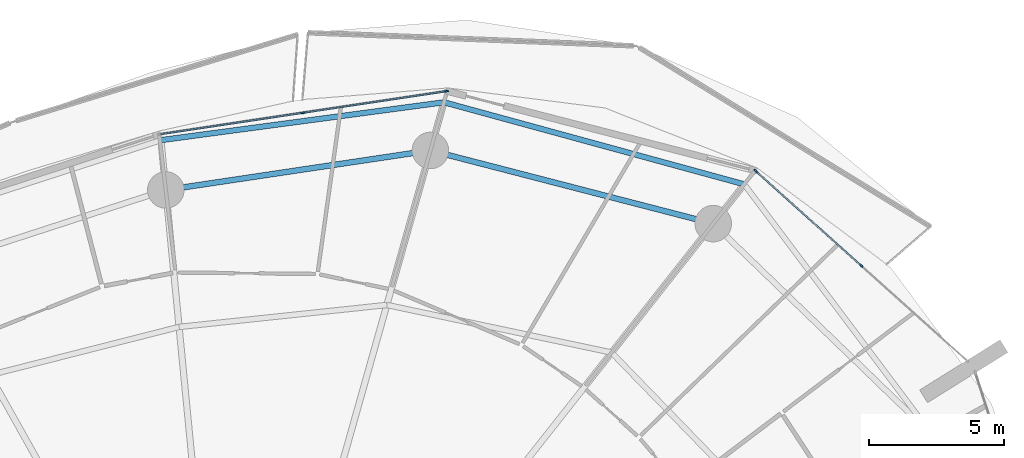
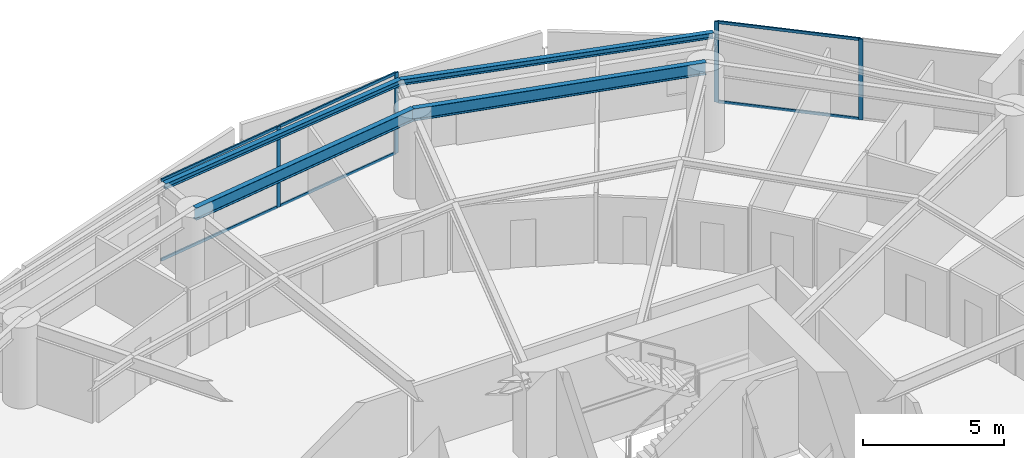
# One storey, part 16 of 31: 10 members, 4 beams, 2 elements without a shape of their own.
"""IFC4 building model written with IfcOpenShell, lengths in metres."""

from ifc_helpers import new_model, si_unit, direction, frame, origin, origin_2d, place, context, subcontext, project, spatial, rectangle, i_section, extrude, material, layer, layer_set, material_profile, profile_set, type_object, element, aggregate, save


model = new_model("IFC4")

# Units and contexts
model_context = context("Model", 3, precision=1e-05, world=origin(), true_north=direction((0.0, 1.0)))
body_context = subcontext(model_context, "Body", "Model", "MODEL_VIEW")
ifc_project = project(units=[si_unit("LENGTHUNIT", "METRE"), si_unit("AREAUNIT", "SQUARE_METRE"), si_unit("VOLUMEUNIT", "CUBIC_METRE"), si_unit("PLANEANGLEUNIT", "RADIAN"), si_unit("MASSUNIT", "GRAM", prefix="KILO")], contexts=[model_context])

# Site, building, storey
site_placement = place(None, origin())
site = spatial("IfcSite", under=ifc_project, at=site_placement, CompositionType="ELEMENT")
building_placement = place(site_placement, origin())
building = spatial("IfcBuilding", under=site, at=building_placement, Name="Kazma Halo Residences", CompositionType="ELEMENT")
storey_placement = place(building_placement, frame((0.0, 0.0, 37.64990234375)))
storey = spatial("IfcBuildingStorey", under=building, at=storey_placement, Name="L08", CompositionType="ELEMENT", Elevation=37.64990234375)

# Beams
ifc_material_1 = material(Name="Steel S355", Category="steel")
ifc_material_profile_1 = material_profile(ifc_material_1, i_section(OverallWidth=0.201904296875, OverallDepth=0.2470703125, WebThickness=0.00732421875, FlangeThickness=0.010986328125, FilletRadius=0.011962890625, at=origin_2d()), Name="W250x49.1")
ifc_profile_set_1 = profile_set([ifc_material_profile_1], Name="Steel S355")
beam_type_1 = type_object("IfcBeamType", Name="BM-BAL-CANT", PredefinedType="BEAM", material=ifc_profile_set_1)
beam_1_placement = place(storey_placement, frame((66.603515625, 65.598388671875, 3.376708984375), z_axis=(-0.964628474934, 0.263613173697, 0.0), x_axis=(-0.263613173697, -0.964628474934, 0.0)))
element("IfcBeam", 1, at=beam_1_placement, inside=storey, type_object=beam_type_1, Name="L08 wave-balcony tie beam 02", PredefinedType="BEAM", context=body_context, shape_type="SweptSolid", body=[
    extrude(i_section(OverallWidth=0.201904296875, OverallDepth=0.2470703125, WebThickness=0.00732421875, FlangeThickness=0.010986328125, FilletRadius=0.011962890625, at=origin_2d()), origin(), (0.0, 0.0, 1.0), 11.499755859375),
])
beam_2_placement = place(storey_placement, frame((55.510498046875, 68.6298828125, 3.376708984375), z_axis=(-0.991168183526, -0.13261082899, 0.0), x_axis=(0.13261082899, -0.991168183526, 0.0)))
element("IfcBeam", 2, at=beam_2_placement, inside=storey, type_object=beam_type_1, Name="L08 wave-balcony tie beam 03", PredefinedType="BEAM", context=body_context, shape_type="SweptSolid", body=[
    extrude(i_section(OverallWidth=0.201904296875, OverallDepth=0.2470703125, WebThickness=0.00732421875, FlangeThickness=0.010986328125, FilletRadius=0.011962890625, at=origin_2d()), origin(), (0.0, 0.0, 1.0), 10.551025390625),
])
ifc_material_profile_2 = material_profile(ifc_material_1, i_section(OverallWidth=0.208984375, OverallDepth=0.532958984375, WebThickness=0.01025390625, FlangeThickness=0.015625, FilletRadius=0.01611328125, at=origin_2d()), Name="W530x92")
ifc_profile_set_2 = profile_set([ifc_material_profile_2], Name="Steel S355")
beam_type_2 = type_object("IfcBeamType", Name="BM-SPN-W530", PredefinedType="BEAM", material=ifc_profile_set_2)
beam_3_placement = place(storey_placement, frame((65.458251953125, 64.145751953125, 3.233642578125), z_axis=(-0.968123558238, 0.250473104313, 0.0), x_axis=(-0.250473104313, -0.968123558238, 0.0)))
element("IfcBeam", 3, at=beam_3_placement, inside=storey, type_object=beam_type_2, Name="L08 perimeter ring beam 02", PredefinedType="BEAM", context=body_context, shape_type="SweptSolid", body=[
    extrude(i_section(OverallWidth=0.208984375, OverallDepth=0.532958984375, WebThickness=0.01025390625, FlangeThickness=0.015625, FilletRadius=0.01611328125, at=origin_2d()), origin(), (0.0, 0.0, 1.0), 10.7939453125),
])
beam_4_placement = place(storey_placement, frame((55.00830078125, 66.849365234375, 3.233642578125), z_axis=(-0.989033061974, -0.147694286693, 0.0), x_axis=(0.147694286693, -0.989033061974, 0.0)))
element("IfcBeam", 4, at=beam_4_placement, inside=storey, type_object=beam_type_2, Name="L08 perimeter ring beam 03", PredefinedType="BEAM", context=body_context, shape_type="SweptSolid", body=[
    extrude(i_section(OverallWidth=0.208984375, OverallDepth=0.532958984375, WebThickness=0.01025390625, FlangeThickness=0.015625, FilletRadius=0.01611328125, at=origin_2d()), origin(), (0.0, 0.0, 1.0), 9.885009765625),
])

# Curtain wall, members
ifc_material_2 = material(Name="Aluminium AW-6063 T6 and Triple-Silver Low-E Glass", Category="aluminium")
ifc_layer = layer(ifc_material_2, 0.159912109375)
ifc_layer_set = layer_set([ifc_layer], Name="Aluminium AW-6063 T6 and Triple-Silver Low-E Glass")
curtain_wall_type = type_object("IfcCurtainWallType", Name="CW-SYS-2", PredefinedType="NOTDEFINED", material=ifc_layer_set)
curtain_wall_1_placement = place(storey_placement, origin())
curtain_wall_1 = element("IfcCurtainWall", 5, at=curtain_wall_1_placement, inside=storey, type_object=curtain_wall_type, Name="L08 unitised curtain wall B01", PredefinedType="NOTDEFINED")
ifc_material_3 = material(Name="Aluminium AW-6063 T6", Category="aluminium")
ifc_material_profile_3 = material_profile(ifc_material_3, rectangle(XDim=0.06005859375, YDim=0.159912109375, at=origin_2d()), Name="CWM-60x160")
ifc_profile_set_3 = profile_set([ifc_material_profile_3], Name="Aluminium AW-6063 T6")
member_type_1 = type_object("IfcMemberType", Name="CW-SYS-2-MUL", PredefinedType="MULLION", material=ifc_profile_set_3)
member_1_placement = place(storey_placement, frame((70.92724609375, 62.590087890625, 0.0), z_axis=(0.0, 0.0, 1.0), x_axis=(-0.667821453854, -0.744321506993, 0.0)))
member_1 = element("IfcMember", 6, at=member_1_placement, type_object=member_type_1, Name="CWS-2 mullion 2", PredefinedType="MULLION", context=body_context, shape_type="SweptSolid", body=[
    extrude(rectangle(XDim=0.06005859375, YDim=0.159912109375, at=origin_2d()), origin(), (0.0, 0.0, 1.0), 3.5),
])
member_2_placement = place(storey_placement, frame((67.028076171875, 66.088623046875, 0.0), z_axis=(0.0, 0.0, 1.0), x_axis=(-0.667821453854, -0.744321506993, 0.0)))
member_2 = element("IfcMember", 7, at=member_2_placement, type_object=member_type_1, Name="CWS-2 mullion 3", PredefinedType="MULLION", context=body_context, shape_type="SweptSolid", body=[
    extrude(rectangle(XDim=0.06005859375, YDim=0.159912109375, at=origin_2d()), origin(), (0.0, 0.0, 1.0), 3.5),
])

curtain_wall_2_placement = place(storey_placement, origin())
curtain_wall_2 = element("IfcCurtainWall", 8, at=curtain_wall_2_placement, inside=storey, type_object=curtain_wall_type, Name="L08 unitised curtain wall B03", PredefinedType="NOTDEFINED")
member_3_placement = place(storey_placement, frame((55.596923828125, 69.037841796875, 0.0), z_axis=(0.0, 0.0, 1.0), x_axis=(0.148657272805, -0.988888777994, 0.0)))
member_3 = element("IfcMember", 9, at=member_3_placement, type_object=member_type_1, Name="CWS-2 mullion 1", PredefinedType="MULLION", context=body_context, shape_type="SweptSolid", body=[
    extrude(rectangle(XDim=0.06005859375, YDim=0.159912109375, at=origin_2d()), origin(), (0.0, 0.0, 1.0), 3.5),
])
member_4_placement = place(storey_placement, frame((50.3076171875, 68.24267578125, 0.0), z_axis=(0.0, 0.0, 1.0), x_axis=(0.148657272805, -0.988888777994, 0.0)))
member_4 = element("IfcMember", 10, at=member_4_placement, type_object=member_type_1, Name="CWS-2 mullion 2", PredefinedType="MULLION", context=body_context, shape_type="SweptSolid", body=[
    extrude(rectangle(XDim=0.06005859375, YDim=0.159912109375, at=origin_2d()), origin(), (0.0, 0.0, 1.0), 3.5),
])

# Member
ifc_material_profile_4 = material_profile(ifc_material_3, rectangle(XDim=0.06005859375, YDim=0.1201171875, at=origin_2d()), Name="CWT-60x120")
ifc_profile_set_4 = profile_set([ifc_material_profile_4], Name="Aluminium AW-6063 T6")
member_type_2 = type_object("IfcMemberType", Name="CW-SYS-2-TRN", PredefinedType="USERDEFINED", material=ifc_profile_set_4)
member_5_placement = place(storey_placement, frame((70.905029296875, 62.6103515625, 0.030029296875), z_axis=(-0.744329408538, 0.66781264707, 0.0), x_axis=(-0.66781264707, -0.744329408538, 0.0)))
member_5 = element("IfcMember", 11, at=member_5_placement, type_object=member_type_2, Name="CWS-2 transom 2.1", ObjectType="TRANSOM", PredefinedType="USERDEFINED", context=body_context, shape_type="SweptSolid", body=[
    extrude(rectangle(XDim=0.06005859375, YDim=0.1201171875, at=origin_2d()), origin(), (0.0, 0.0, 1.0), 5.178466796875),
])

member_6_placement = place(storey_placement, frame((70.905029296875, 62.6103515625, 3.47021484375), z_axis=(-0.744329408538, 0.66781264707, 0.0), x_axis=(-0.66781264707, -0.744329408538, 0.0)))
member_6 = element("IfcMember", 12, at=member_6_placement, type_object=member_type_2, Name="CWS-2 transom 2.2", ObjectType="TRANSOM", PredefinedType="USERDEFINED", context=body_context, shape_type="SweptSolid", body=[
    extrude(rectangle(XDim=0.06005859375, YDim=0.1201171875, at=origin_2d()), origin(), (0.0, 0.0, 1.0), 5.178466796875),
])

aggregate(curtain_wall_1, [member_1, member_2, member_5, member_6])

member_7_placement = place(storey_placement, frame((55.5673828125, 69.033203125, 0.030029296875), z_axis=(-0.988890934274, -0.148642928222, 0.0), x_axis=(0.148642928222, -0.988890934274, 0.0)))
member_7 = element("IfcMember", 13, at=member_7_placement, type_object=member_type_2, Name="CWS-2 transom 1.1", ObjectType="TRANSOM", PredefinedType="USERDEFINED", context=body_context, shape_type="SweptSolid", body=[
    extrude(rectangle(XDim=0.06005859375, YDim=0.1201171875, at=origin_2d()), origin(), (0.0, 0.0, 1.0), 5.288818359375),
])

member_8_placement = place(storey_placement, frame((55.5673828125, 69.033203125, 3.47021484375), z_axis=(-0.988890934274, -0.148642928222, 0.0), x_axis=(0.148642928222, -0.988890934274, 0.0)))
member_8 = element("IfcMember", 14, at=member_8_placement, type_object=member_type_2, Name="CWS-2 transom 1.2", ObjectType="TRANSOM", PredefinedType="USERDEFINED", context=body_context, shape_type="SweptSolid", body=[
    extrude(rectangle(XDim=0.06005859375, YDim=0.1201171875, at=origin_2d()), origin(), (0.0, 0.0, 1.0), 5.288818359375),
])

member_9_placement = place(storey_placement, frame((50.278076171875, 68.238037109375, 0.030029296875), z_axis=(-0.98889195415, -0.148636143041, 0.0), x_axis=(0.148636143041, -0.98889195415, 0.0)))
member_9 = element("IfcMember", 15, at=member_9_placement, type_object=member_type_2, Name="CWS-2 transom 2.1", ObjectType="TRANSOM", PredefinedType="USERDEFINED", context=body_context, shape_type="SweptSolid", body=[
    extrude(rectangle(XDim=0.06005859375, YDim=0.1201171875, at=origin_2d()), origin(), (0.0, 0.0, 1.0), 5.2890625),
])

member_10_placement = place(storey_placement, frame((50.278076171875, 68.238037109375, 3.47021484375), z_axis=(-0.98889195415, -0.148636143041, 0.0), x_axis=(0.148636143041, -0.98889195415, 0.0)))
member_10 = element("IfcMember", 16, at=member_10_placement, type_object=member_type_2, Name="CWS-2 transom 2.2", ObjectType="TRANSOM", PredefinedType="USERDEFINED", context=body_context, shape_type="SweptSolid", body=[
    extrude(rectangle(XDim=0.06005859375, YDim=0.1201171875, at=origin_2d()), origin(), (0.0, 0.0, 1.0), 5.2890625),
])

aggregate(curtain_wall_2, [member_3, member_4, member_7, member_8, member_9, member_10])

save(model, "model.ifc")
